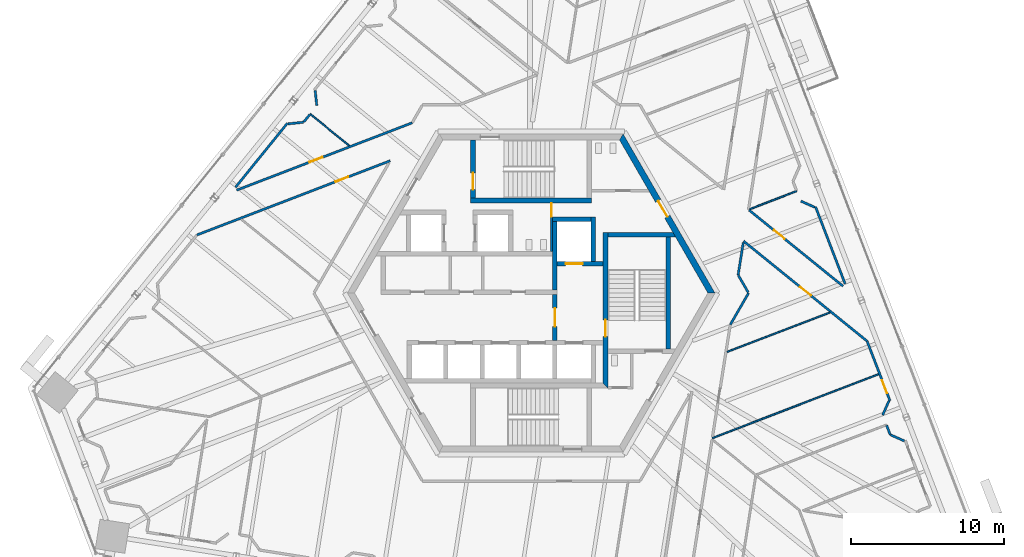
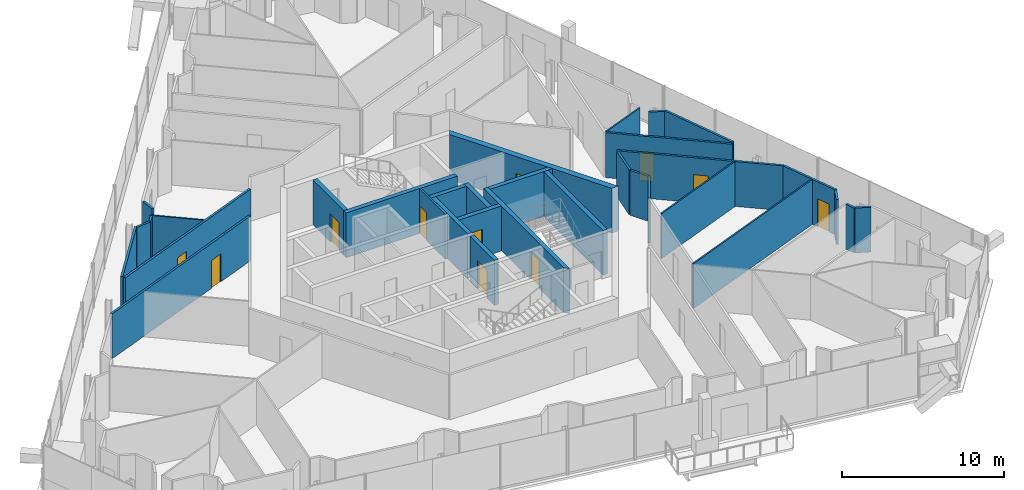
# One storey, part 16 of 23: 33 walls, 11 doors, 11 openings.
"""IFC4 building model written with IfcOpenShell, lengths in metres."""

from ifc_helpers import new_model, si_unit, direction, frame, frame_2d, origin, place, context, subcontext, project, spatial, polyline, rectangle, outline, extrude, source, transform, mapped, material, layer, layer_set, type_object, element, fill, save


model = new_model("IFC4")

# Units and contexts
model_context = context("Model", 3, precision=1e-05, world=origin(), true_north=direction((0.0, 1.0)))
body_context = subcontext(model_context, "Body", "Model", "MODEL_VIEW")
ifc_project = project(units=[si_unit("LENGTHUNIT", "METRE"), si_unit("AREAUNIT", "SQUARE_METRE"), si_unit("VOLUMEUNIT", "CUBIC_METRE"), si_unit("PLANEANGLEUNIT", "RADIAN"), si_unit("MASSUNIT", "GRAM", prefix="KILO")], contexts=[model_context])

# Site, building, storey
site_placement = place(None, origin())
site = spatial("IfcSite", under=ifc_project, at=site_placement, CompositionType="ELEMENT")
building_placement = place(site_placement, origin())
building = spatial("IfcBuilding", under=site, at=building_placement, Name="Triune Harvest Tower", CompositionType="ELEMENT")
storey_placement = place(building_placement, frame((0.0, 0.0, 171.300048828125)))
storey = spatial("IfcBuildingStorey", under=building, at=storey_placement, Name="L44", CompositionType="ELEMENT", Elevation=171.300048828125)

# Wall, opening, door
ifc_material_1 = material(Name="Concrete masonry unit", Category="masonry")
ifc_layer_1 = layer(ifc_material_1, 0.14990234375)
ifc_layer_set_1 = layer_set([ifc_layer_1], Name="Concrete masonry unit")
wall_type_1 = type_object("IfcWallType", Name="Block partition 150 unrated", PredefinedType="PARTITIONING", material=ifc_layer_set_1)
wall_1_placement = place(storey_placement, frame((1.324951171875, 2.7099609375, 0.0), z_axis=(0.0, 0.0, 1.0), x_axis=(0.0, 1.0, 0.0)))
wall_1 = element("IfcWall", 1, at=wall_1_placement, inside=storey, type_object=wall_type_1, Name="Wc men east wall", PredefinedType="PARTITIONING", context=body_context, shape_type="SweptSolid", body=[
    extrude(rectangle(XDim=3.179931640625, YDim=0.14990234375, at=frame_2d((1.58984375, 0.0))), origin(), (0.0, 0.0, 1.0), 3.375),
])
opening_1_placement = place(wall_1_placement, frame((2.264892578125, 0.0, 0.0)))
opening_1 = element("IfcOpeningElement", 2, at=opening_1_placement, cuts=wall_1, Name="Opening CD-WM", PredefinedType="OPENING", context=body_context, shape_type="SweptSolid", body=[
    extrude(rectangle(XDim=0.89990234375, YDim=2.10009765625, at=frame_2d((0.449951171875, 1.050048828125))), frame((0.0, 0.0849609375, 0.0), z_axis=(0.0, -1.0, 0.0), x_axis=(1.0, 0.0, 0.0)), (0.0, 0.0, 1.0), 0.169921875),
])
ifc_material_2 = material(Name="Timber C24", Category="wood")
door_type_1 = type_object("IfcDoorType", Name="WC door 900", OperationType="SINGLE_SWING_LEFT", PredefinedType="DOOR", material=ifc_material_2)
door_1_placement = place(opening_1_placement, origin())
door_1 = element("IfcDoor", 3, at=door_1_placement, inside=storey, type_object=door_type_1, Name="Door CD-WM", OperationType="SINGLE_SWING_LEFT", OverallHeight=2.10009765625, OverallWidth=0.89990234375, PredefinedType="DOOR", context=body_context, shape_type="SweptSolid", body=[
    extrude(rectangle(XDim=0.89990234375, YDim=2.10009765625, at=frame_2d((0.449951171875, 1.050048828125))), frame((0.0, 0.02490234375, 0.0), z_axis=(0.0, -1.0, 0.0), x_axis=(1.0, 0.0, 0.0)), (0.0, 0.0, 1.0), 0.050048828125),
])
fill(opening_1, door_1)

# Walls
ifc_material_3 = material(Name="Concrete 70 MPa", Category="concrete")
ifc_layer_2 = layer(ifc_material_3, 0.300048828125)
ifc_layer_set_2 = layer_set([ifc_layer_2], Name="Concrete 70 MPa")
wall_type_2 = type_object("IfcWallType", Name="Core wall 300", PredefinedType="SHEAR", material=ifc_layer_set_2)
wall_2_placement = place(storey_placement, frame((1.550048828125, 0.2099609375, 0.0), z_axis=(0.0, 0.0, 1.0), x_axis=(0.0, 1.0, 0.0)))
element("IfcWall", 4, at=wall_2_placement, inside=storey, type_object=wall_type_2, Name="Ff1 west wall", PredefinedType="SHEAR", context=body_context, shape_type="SweptSolid", body=[
    extrude(rectangle(XDim=4.449951171875, YDim=0.300048828125, at=frame_2d((2.22509765625, 0.0))), origin(), (0.0, 0.0, 1.0), 3.375),
])
wall_3_placement = place(storey_placement, frame((4.050048828125, 2.06005859375, 0.0), z_axis=(0.0, 0.0, 1.0), x_axis=(0.0, 1.0, 0.0)))
element("IfcWall", 5, at=wall_3_placement, inside=storey, type_object=wall_type_2, Name="Ff1 east wall", PredefinedType="SHEAR", context=body_context, shape_type="SweptSolid", body=[
    extrude(rectangle(XDim=2.89990234375, YDim=0.300048828125, at=frame_2d((1.449951171875, 0.0))), origin(), (0.0, 0.0, 1.0), 3.375),
])

# Wall, opening, door
wall_4_placement = place(storey_placement, frame((4.85009765625, -6.0400390625, 0.0), z_axis=(0.0, 0.0, 1.0), x_axis=(0.0, 1.0, 0.0)))
wall_4 = element("IfcWall", 6, at=wall_4_placement, inside=storey, type_object=wall_type_2, Name="Stair e west wall", PredefinedType="SHEAR", context=body_context, shape_type="SweptSolid", body=[
    extrude(outline(polyline([(-0.14990234375, -0.14990234375), (9.989990234375, -0.14990234375), (9.989990234375, 0.14990234375), (0.14990234375, 0.14990234375), (-0.14990234375, -0.14990234375)])), origin(), (0.0, 0.0, 1.0), 3.375),
])
opening_2_placement = place(wall_4_placement, frame((3.18994140625, 0.0, 0.0)))
opening_2 = element("IfcOpeningElement", 7, at=opening_2_placement, cuts=wall_4, Name="Opening CD-S3L", PredefinedType="OPENING", context=body_context, shape_type="SweptSolid", body=[
    extrude(rectangle(XDim=1.10009765625, YDim=2.10009765625, at=frame_2d((0.550048828125, 1.050048828125))), frame((0.0, 0.16015625, 0.0), z_axis=(0.0, -1.0, 0.0), x_axis=(1.0, 0.0, 0.0)), (0.0, 0.0, 1.0), 0.320068359375),
])
ifc_material_4 = material(Name="Steel S235", Category="steel")
door_type_2 = type_object("IfcDoorType", Name="Stair door 1100 FD120", OperationType="SINGLE_SWING_LEFT", PredefinedType="DOOR", material=ifc_material_4)
door_2_placement = place(opening_2_placement, frame((1.10009765625, 0.0, 0.0), z_axis=(0.0, 0.0, 1.0), x_axis=(-1.0, 0.0, 0.0)))
door_2 = element("IfcDoor", 8, at=door_2_placement, inside=storey, type_object=door_type_2, Name="Door CD-S3L", OperationType="SINGLE_SWING_RIGHT", OverallHeight=2.10009765625, OverallWidth=1.10009765625, PredefinedType="DOOR", context=body_context, shape_type="SweptSolid", body=[
    extrude(rectangle(XDim=1.10009765625, YDim=2.10009765625, at=frame_2d((0.550048828125, 1.050048828125))), frame((0.0, 0.02490234375, 0.0), z_axis=(0.0, -1.0, 0.0), x_axis=(1.0, 0.0, 0.0)), (0.0, 0.0, 1.0), 0.050048828125),
])
fill(opening_2, door_2)

# Walls
wall_5_placement = place(storey_placement, frame((5.0, 3.800048828125, 0.0), z_axis=(0.0, 0.0, 1.0), x_axis=(1.0, 0.0, 0.0)))
element("IfcWall", 9, at=wall_5_placement, inside=storey, type_object=wall_type_2, Name="Stair e north wall", PredefinedType="SHEAR", context=body_context, shape_type="SweptSolid", body=[
    extrude(outline(polyline([(0.0, -0.14990234375), (0.0, 0.14990234375), (4.260009765625, 0.14990234375), (4.43310546875, -0.14990234375), (0.0, -0.14990234375)])), origin(), (0.0, 0.0, 1.0), 3.375),
])
wall_6_placement = place(storey_placement, frame((8.949951171875, -3.64990234375, 0.0), z_axis=(0.0, 0.0, 1.0), x_axis=(0.0, 1.0, 0.0)))
element("IfcWall", 10, at=wall_6_placement, inside=storey, type_object=wall_type_2, Name="Stair e east wall", PredefinedType="SHEAR", context=body_context, shape_type="SweptSolid", body=[
    extrude(rectangle(XDim=7.2998046875, YDim=0.300048828125, at=frame_2d((3.64990234375, 0.0))), origin(), (0.0, 0.0, 1.0), 3.375),
])
wall_7_placement = place(storey_placement, frame((-3.949951171875, 6.0400390625, 0.0), z_axis=(0.0, 0.0, 1.0), x_axis=(1.0, 0.0, 0.0)))
element("IfcWall", 11, at=wall_7_placement, inside=storey, type_object=wall_type_2, Name="Stair n south wall", PredefinedType="SHEAR", context=body_context, shape_type="SweptSolid", body=[
    extrude(rectangle(XDim=7.89990234375, YDim=0.300048828125, at=frame_2d((3.949951171875, 0.0))), origin(), (0.0, 0.0, 1.0), 3.375),
])
ifc_material_5 = material(Name="Gypsum board on steel studs", Category="steel")
ifc_layer_3 = layer(ifc_material_5, 0.14990234375)
ifc_layer_set_3 = layer_set([ifc_layer_3], Name="Gypsum board on steel studs")
wall_type_3 = type_object("IfcWallType", Name="Fire Partition 150 mm", PredefinedType="PARTITIONING", material=ifc_layer_set_3)
wall_8_placement = place(storey_placement, frame((23.207763671875, -8.640380859375, 0.0), z_axis=(0.0, 0.0, 1.0), x_axis=(0.358077225815, -0.933691972951, 0.0)))
element("IfcWall", 12, at=wall_8_placement, inside=storey, type_object=wall_type_3, Name="Partition L44 016", PredefinedType="PARTITIONING", context=body_context, shape_type="SweptSolid", body=[
    extrude(rectangle(XDim=0.653076171875, YDim=0.14990234375, at=frame_2d((0.32666015625, 0.0))), origin(), (0.0, 0.0, 1.0), 3.375),
])

# Wall, opening, door
wall_9_placement = place(storey_placement, frame((21.939697265625, -3.158447265625, 0.0), z_axis=(0.0, 0.0, 1.0), x_axis=(0.358371438694, -0.933579087131, 0.0)))
wall_9 = element("IfcWall", 13, at=wall_9_placement, inside=storey, type_object=wall_type_3, Name="Partition L44 022", PredefinedType="PARTITIONING", context=body_context, shape_type="SweptSolid", body=[
    extrude(rectangle(XDim=4.146728515625, YDim=0.14990234375, at=frame_2d((2.0732421875, 0.0))), origin(), (0.0, 0.0, 1.0), 3.375),
])
opening_3_placement = place(wall_9_placement, frame((2.718994140625, 0.0, 0.0)))
opening_3 = element("IfcOpeningElement", 14, at=opening_3_placement, cuts=wall_9, Name="Opening L44-004", PredefinedType="OPENING", context=body_context, shape_type="SweptSolid", body=[
    extrude(rectangle(XDim=0.89990234375, YDim=2.10009765625, at=frame_2d((0.449951171875, 1.050048828125))), frame((0.0, 0.0849609375, 0.0), z_axis=(0.0, -1.0, 0.0), x_axis=(1.0, 0.0, 0.0)), (0.0, 0.0, 1.0), 0.169921875),
])
ifc_material_6 = material(Name="Timber and steel door set", Category="steel")
door_type_3 = type_object("IfcDoorType", Name="Single leaf door FD30 left hand 900 x 2100", OperationType="SINGLE_SWING_LEFT", PredefinedType="DOOR", material=ifc_material_6)
door_3_placement = place(opening_3_placement, origin())
door_3 = element("IfcDoor", 15, at=door_3_placement, inside=storey, type_object=door_type_3, Name="Door L44-004 Pantry 44.04", OperationType="SINGLE_SWING_LEFT", OverallHeight=2.10009765625, OverallWidth=0.89990234375, PredefinedType="DOOR", context=body_context, shape_type="SweptSolid", body=[
    extrude(rectangle(XDim=0.89990234375, YDim=2.10009765625, at=frame_2d((0.449951171875, 1.050048828125))), frame((0.0, 0.02490234375, 0.0), z_axis=(0.0, -1.0, 0.0), x_axis=(1.0, 0.0, 0.0)), (0.0, 0.0, 1.0), 0.050048828125),
])
fill(opening_3, door_3)

# Wall
wall_10_placement = place(storey_placement, frame((13.5283203125, 1.1533203125, 0.0), z_axis=(0.0, 0.0, 1.0), x_axis=(0.499880661532, -0.866094292919, 0.0)))
element("IfcWall", 16, at=wall_10_placement, inside=storey, type_object=wall_type_3, Name="Partition L44 026", PredefinedType="PARTITIONING", context=body_context, shape_type="SweptSolid", body=[
    extrude(rectangle(XDim=1.291259765625, YDim=0.14990234375, at=frame_2d((0.6455078125, 0.0))), origin(), (0.0, 0.0, 1.0), 3.375),
])

# Wall, opening, door
wall_11_placement = place(storey_placement, frame((13.864013671875, 3.393798828125, 0.0), z_axis=(0.0, 0.0, 1.0), x_axis=(0.777140815118, -0.629326746196, 0.0)))
wall_11 = element("IfcWall", 17, at=wall_11_placement, inside=storey, type_object=wall_type_3, Name="Partition L44 042", PredefinedType="PARTITIONING", context=body_context, shape_type="SweptSolid", body=[
    extrude(rectangle(XDim=10.38232421875, YDim=0.14990234375, at=frame_2d((5.191162109375, 0.0))), origin(), (0.0, 0.0, 1.0), 3.375),
])
opening_4_placement = place(wall_11_placement, frame((4.76318359375, 0.0, 0.0)))
opening_4 = element("IfcOpeningElement", 18, at=opening_4_placement, cuts=wall_11, Name="Opening L44-005", PredefinedType="OPENING", context=body_context, shape_type="SweptSolid", body=[
    extrude(rectangle(XDim=0.89990234375, YDim=2.10009765625, at=frame_2d((0.449951171875, 1.050048828125))), frame((0.0, 0.0849609375, 0.0), z_axis=(0.0, -1.0, 0.0), x_axis=(1.0, 0.0, 0.0)), (0.0, 0.0, 1.0), 0.169921875),
])
door_4_placement = place(opening_4_placement, origin())
door_4 = element("IfcDoor", 19, at=door_4_placement, inside=storey, type_object=door_type_3, Name="Door L44-005 Pantry 44.05", OperationType="SINGLE_SWING_LEFT", OverallHeight=2.10009765625, OverallWidth=0.89990234375, PredefinedType="DOOR", context=body_context, shape_type="SweptSolid", body=[
    extrude(rectangle(XDim=0.89990234375, YDim=2.10009765625, at=frame_2d((0.449951171875, 1.050048828125))), frame((0.0, 0.02490234375, 0.0), z_axis=(0.0, -1.0, 0.0), x_axis=(1.0, 0.0, 0.0)), (0.0, 0.0, 1.0), 0.050048828125),
])
fill(opening_4, door_4)

wall_12_placement = place(storey_placement, frame((14.220458984375, 5.42138671875, 0.0), z_axis=(0.0, 0.0, 1.0), x_axis=(0.777136330472, -0.62933228414, 0.0)))
wall_12 = element("IfcWall", 20, at=wall_12_placement, inside=storey, type_object=wall_type_3, Name="Partition L44 046", PredefinedType="PARTITIONING", context=body_context, shape_type="SweptSolid", body=[
    extrude(rectangle(XDim=7.910400390625, YDim=0.14990234375, at=frame_2d((3.955078125, 0.0))), origin(), (0.0, 0.0, 1.0), 3.375),
])
opening_5_placement = place(wall_12_placement, frame((2.101806640625, 0.0, 0.0)))
opening_5 = element("IfcOpeningElement", 21, at=opening_5_placement, cuts=wall_12, Name="Opening L44-006", PredefinedType="OPENING", context=body_context, shape_type="SweptSolid", body=[
    extrude(rectangle(XDim=0.89990234375, YDim=2.10009765625, at=frame_2d((0.449951171875, 1.050048828125))), frame((0.0, 0.0849609375, 0.0), z_axis=(0.0, -1.0, 0.0), x_axis=(1.0, 0.0, 0.0)), (0.0, 0.0, 1.0), 0.169921875),
])
door_5_placement = place(opening_5_placement, origin())
door_5 = element("IfcDoor", 22, at=door_5_placement, inside=storey, type_object=door_type_3, Name="Door L44-006 Print room 44.06", OperationType="SINGLE_SWING_LEFT", OverallHeight=2.10009765625, OverallWidth=0.89990234375, PredefinedType="DOOR", context=body_context, shape_type="SweptSolid", body=[
    extrude(rectangle(XDim=0.89990234375, YDim=2.10009765625, at=frame_2d((0.449951171875, 1.050048828125))), frame((0.0, 0.02490234375, 0.0), z_axis=(0.0, -1.0, 0.0), x_axis=(1.0, 0.0, 0.0)), (0.0, 0.0, 1.0), 0.050048828125),
])
fill(opening_5, door_5)

wall_13_placement = place(storey_placement, frame((-21.829345703125, 3.791259765625, 0.0), z_axis=(0.0, 0.0, 1.0), x_axis=(0.933574402128, 0.35838364317, 0.0)))
wall_13 = element("IfcWall", 23, at=wall_13_placement, inside=storey, type_object=wall_type_3, Name="Partition L44 092", PredefinedType="PARTITIONING", context=body_context, shape_type="SweptSolid", body=[
    extrude(rectangle(XDim=13.51953125, YDim=0.14990234375, at=frame_2d((6.759765625, 0.0))), origin(), (0.0, 0.0, 1.0), 3.375),
])
opening_6_placement = place(wall_13_placement, frame((9.69091796875, 0.0, 0.0)))
opening_6 = element("IfcOpeningElement", 24, at=opening_6_placement, cuts=wall_13, Name="Opening L44-019", PredefinedType="OPENING", context=body_context, shape_type="SweptSolid", body=[
    extrude(rectangle(XDim=0.89990234375, YDim=2.10009765625, at=frame_2d((0.449951171875, 1.050048828125))), frame((0.0, 0.0849609375, 0.0), z_axis=(0.0, -1.0, 0.0), x_axis=(1.0, 0.0, 0.0)), (0.0, 0.0, 1.0), 0.169921875),
])
door_6_placement = place(opening_6_placement, origin())
door_6 = element("IfcDoor", 25, at=door_6_placement, inside=storey, type_object=door_type_3, Name="Door L44-019 Project Room 44.19", OperationType="SINGLE_SWING_LEFT", OverallHeight=2.10009765625, OverallWidth=0.89990234375, PredefinedType="DOOR", context=body_context, shape_type="SweptSolid", body=[
    extrude(rectangle(XDim=0.89990234375, YDim=2.10009765625, at=frame_2d((0.449951171875, 1.050048828125))), frame((0.0, 0.02490234375, 0.0), z_axis=(0.0, -1.0, 0.0), x_axis=(1.0, 0.0, 0.0)), (0.0, 0.0, 1.0), 0.050048828125),
])
fill(opening_6, door_6)

wall_14_placement = place(storey_placement, frame((-19.234130859375, 6.7158203125, 0.0), z_axis=(0.0, 0.0, 1.0), x_axis=(0.93358843832, 0.358347077335, 0.0)))
wall_14 = element("IfcWall", 26, at=wall_14_placement, inside=storey, type_object=wall_type_3, Name="Partition L44 094", PredefinedType="PARTITIONING", context=body_context, shape_type="SweptSolid", body=[
    extrude(rectangle(XDim=12.271484375, YDim=0.14990234375, at=frame_2d((6.1357421875, 0.0))), origin(), (0.0, 0.0, 1.0), 3.375),
])
opening_7_placement = place(wall_14_placement, frame((5.1005859375, 0.0, 0.0)))
opening_7 = element("IfcOpeningElement", 27, at=opening_7_placement, cuts=wall_14, Name="Opening L44-018", PredefinedType="OPENING", context=body_context, shape_type="SweptSolid", body=[
    extrude(rectangle(XDim=0.89990234375, YDim=2.10009765625, at=frame_2d((0.449951171875, 1.050048828125))), frame((0.0, 0.0849609375, 0.0), z_axis=(0.0, -1.0, 0.0), x_axis=(1.0, 0.0, 0.0)), (0.0, 0.0, 1.0), 0.169921875),
])
door_7_placement = place(opening_7_placement, origin())
door_7 = element("IfcDoor", 28, at=door_7_placement, inside=storey, type_object=door_type_3, Name="Door L44-018 Pantry 44.18", OperationType="SINGLE_SWING_LEFT", OverallHeight=2.10009765625, OverallWidth=0.89990234375, PredefinedType="DOOR", context=body_context, shape_type="SweptSolid", body=[
    extrude(rectangle(XDim=0.89990234375, YDim=2.10009765625, at=frame_2d((0.449951171875, 1.050048828125))), frame((0.0, 0.02490234375, 0.0), z_axis=(0.0, -1.0, 0.0), x_axis=(1.0, 0.0, 0.0)), (0.0, 0.0, 1.0), 0.050048828125),
])
fill(opening_7, door_7)

# Walls
wall_15_placement = place(storey_placement, frame((-14.844482421875, 11.1767578125, 0.0), z_axis=(0.0, 0.0, 1.0), x_axis=(0.629186930288, 0.777254016879, 0.0)))
element("IfcWall", 29, at=wall_15_placement, inside=storey, type_object=wall_type_3, Name="Partition L44 113", PredefinedType="PARTITIONING", context=body_context, shape_type="SweptSolid", body=[
    extrude(rectangle(XDim=0.62158203125, YDim=0.14990234375, at=frame_2d((0.310791015625, 0.0))), origin(), (0.0, 0.0, 1.0), 3.375),
])
wall_16_placement = place(storey_placement, frame((22.9501953125, -7.968994140625, 0.0), z_axis=(0.0, 0.0, 1.0), x_axis=(0.406607480524, 0.913602953575, 0.0)))
element("IfcWall", 30, at=wall_16_placement, inside=storey, type_object=wall_type_3, Name="Partition L44 128", PredefinedType="PARTITIONING", context=body_context, shape_type="SweptSolid", body=[
    extrude(rectangle(XDim=1.01416015625, YDim=0.14990234375, at=frame_2d((0.507080078125, 0.0))), origin(), (0.0, 0.0, 1.0), 3.375),
])
ifc_material_7 = material(Name="Gypsum board on steel studs", Category="steel")
ifc_layer_4 = layer(ifc_material_7, 0.10009765625)
ifc_layer_set_4 = layer_set([ifc_layer_4], Name="Gypsum board on steel studs")
wall_type_4 = type_object("IfcWallType", Name="Partition 100 mm", PredefinedType="PARTITIONING", material=ifc_layer_set_4)
wall_17_placement = place(storey_placement, frame((-14.431884765625, 11.6865234375, 0.0), z_axis=(0.0, 0.0, 1.0), x_axis=(0.777182493182, -0.629275275449, 0.0)))
element("IfcWall", 31, at=wall_17_placement, inside=storey, type_object=wall_type_4, Name="Partition L44 037", PredefinedType="PARTITIONING", context=body_context, shape_type="SweptSolid", body=[
    extrude(rectangle(XDim=3.281494140625, YDim=0.10009765625, at=frame_2d((1.640625, 0.0))), origin(), (0.0, 0.0, 1.0), 3.375),
])
wall_18_placement = place(storey_placement, frame((11.826416015625, -9.470703125, 0.0), z_axis=(0.0, 0.0, 1.0), x_axis=(0.933583574223, 0.358359749331, 0.0)))
element("IfcWall", 32, at=wall_18_placement, inside=storey, type_object=wall_type_4, Name="Partition L44 086", PredefinedType="PARTITIONING", context=body_context, shape_type="SweptSolid", body=[
    extrude(rectangle(XDim=11.70361328125, YDim=0.10009765625, at=frame_2d((5.851806640625, 0.0))), origin(), (0.0, 0.0, 1.0), 3.375),
])
wall_19_placement = place(storey_placement, frame((12.79638671875, -3.844482421875, 0.0), z_axis=(0.0, 0.0, 1.0), x_axis=(0.933583727979, 0.358359348772, 0.0)))
element("IfcWall", 33, at=wall_19_placement, inside=storey, type_object=wall_type_4, Name="Partition L44 087", PredefinedType="PARTITIONING", context=body_context, shape_type="SweptSolid", body=[
    extrude(rectangle(XDim=7.181396484375, YDim=0.10009765625, at=frame_2d((3.5908203125, 0.0))), origin(), (0.0, 0.0, 1.0), 3.375),
])
wall_20_placement = place(storey_placement, frame((14.273193359375, 5.478759765625, 0.0), z_axis=(0.0, 0.0, 1.0), x_axis=(0.933583158786, 0.35836083161, 0.0)))
element("IfcWall", 34, at=wall_20_placement, inside=storey, type_object=wall_type_4, Name="Partition L44 090", PredefinedType="PARTITIONING", context=body_context, shape_type="SweptSolid", body=[
    extrude(rectangle(XDim=3.28173828125, YDim=0.10009765625, at=frame_2d((1.640869140625, 0.0))), origin(), (0.0, 0.0, 1.0), 3.375),
])

# Wall, opening, door
ifc_material_8 = material(Name="Concrete 70 MPa", Category="concrete")
ifc_layer_5 = layer(ifc_material_8, 0.39990234375)
ifc_layer_set_5 = layer_set([ifc_layer_5], Name="Concrete 70 MPa")
wall_type_5 = type_object("IfcWallType", Name="Core wall 400", PredefinedType="SHEAR", material=ifc_layer_set_5)
shared_shape_1 = source(origin(), body_context, "Body", "SweptSolid", [
    extrude(outline(polyline([(-0.115478515625, -0.199951171875), (11.884521484375, -0.199951171875), (11.653564453125, 0.199951171875), (0.115478515625, 0.199951171875), (-0.115478515625, -0.199951171875)])), origin(), (0.0, 0.0, 1.0), 3.375),
])
wall_21_placement = place(storey_placement, frame((11.76904296875, 0.0, 0.0), z_axis=(0.0, 0.0, 1.0), x_axis=(-0.499996592174, 0.866027371285, 0.0)))
wall_21 = element("IfcWall", 35, at=wall_21_placement, inside=storey, type_object=wall_type_5, Name="Hexagon 0 wall", PredefinedType="SHEAR", context=body_context, shape_type="MappedRepresentation", body=[
    mapped(shared_shape_1, transform((0.0, 0.0, 0.0), scale=1.0)),
])
opening_8_placement = place(wall_21_placement, frame((5.75048828125, 0.0, 0.0)))
opening_8 = element("IfcOpeningElement", 36, at=opening_8_placement, cuts=wall_21, Name="Opening CD-WCP", PredefinedType="OPENING", context=body_context, shape_type="SweptSolid", body=[
    extrude(rectangle(XDim=1.199951171875, YDim=2.10009765625, at=frame_2d((0.60009765625, 1.050048828125))), frame((0.0, 0.2099609375, 0.0), z_axis=(0.0, -1.0, 0.0), x_axis=(1.0, 0.0, 0.0)), (0.0, 0.0, 1.0), 0.419921875),
])
ifc_material_9 = material(Name="Steel S235", Category="steel")
door_type_4 = type_object("IfcDoorType", Name="Lobby door 1200 FD120", OperationType="SINGLE_SWING_LEFT", PredefinedType="DOOR", material=ifc_material_9)
door_8_placement = place(opening_8_placement, frame((1.199951171875, 0.0, 0.0), z_axis=(0.0, 0.0, 1.0), x_axis=(-1.0, 0.0, 0.0)))
door_8 = element("IfcDoor", 37, at=door_8_placement, inside=storey, type_object=door_type_4, Name="Door CD-WCP", OperationType="SINGLE_SWING_RIGHT", OverallHeight=2.10009765625, OverallWidth=1.199951171875, PredefinedType="DOOR", context=body_context, shape_type="SweptSolid", body=[
    extrude(rectangle(XDim=1.199951171875, YDim=2.10009765625, at=frame_2d((0.60009765625, 1.050048828125))), frame((0.0, 0.02490234375, 0.0), z_axis=(0.0, -1.0, 0.0), x_axis=(1.0, 0.0, 0.0)), (0.0, 0.0, 1.0), 0.050048828125),
])
fill(opening_8, door_8)

# Wall
shared_shape_2 = source(origin(), body_context, "Body", "SweptSolid", [
    extrude(rectangle(XDim=2.5, YDim=0.300048828125, at=frame_2d((1.25, 0.0))), origin(), (0.0, 0.0, 1.0), 3.375),
])
wall_22_placement = place(storey_placement, frame((1.39990234375, 4.81005859375, 0.0), z_axis=(0.0, 0.0, 1.0), x_axis=(1.0, 0.0, 0.0)))
element("IfcWall", 38, at=wall_22_placement, inside=storey, type_object=wall_type_2, Name="Ff1 back wall", PredefinedType="SHEAR", context=body_context, shape_type="MappedRepresentation", body=[
    mapped(shared_shape_2, transform((0.0, 0.0, 0.0), scale=1.0)),
])

# Wall, opening, door
shared_shape_3 = source(origin(), body_context, "Body", "SweptSolid", [
    extrude(rectangle(XDim=3.0, YDim=0.300048828125, at=frame_2d((1.5, 0.0))), origin(), (0.0, 0.0, 1.0), 3.375),
])
wall_23_placement = place(storey_placement, frame((1.699951171875, 1.909912109375, 0.0), z_axis=(0.0, 0.0, 1.0), x_axis=(1.0, 0.0, 0.0)))
wall_23 = element("IfcWall", 39, at=wall_23_placement, inside=storey, type_object=wall_type_2, Name="Ff1 front wall", PredefinedType="SHEAR", context=body_context, shape_type="MappedRepresentation", body=[
    mapped(shared_shape_3, transform((0.0, 0.0, 0.0), scale=1.0)),
])
opening_9_placement = place(wall_23_placement, frame((0.550048828125, 0.0, 0.0)))
opening_9 = element("IfcOpeningElement", 40, at=opening_9_placement, cuts=wall_23, Name="Opening LD-FF1-44", PredefinedType="OPENING", context=body_context, shape_type="SweptSolid", body=[
    extrude(rectangle(XDim=1.10009765625, YDim=2.10009765625, at=frame_2d((0.550048828125, 1.050048828125))), frame((0.0, 0.16015625, 0.0), z_axis=(0.0, -1.0, 0.0), x_axis=(1.0, 0.0, 0.0)), (0.0, 0.0, 1.0), 0.320068359375),
])
ifc_material_10 = material(Name="Stainless steel AISI 304", Category="steel")
door_type_5 = type_object("IfcDoorType", Name="Landing door 1100 x 2100", OperationType="DOUBLE_DOOR_SLIDING", PredefinedType="DOOR", material=ifc_material_10)
door_9_placement = place(opening_9_placement, origin())
door_9 = element("IfcDoor", 41, at=door_9_placement, inside=storey, type_object=door_type_5, Name="Door LD-FF1-44", OperationType="DOUBLE_DOOR_SLIDING", OverallHeight=2.10009765625, OverallWidth=1.10009765625, PredefinedType="DOOR", context=body_context, shape_type="SweptSolid", body=[
    extrude(rectangle(XDim=1.10009765625, YDim=2.10009765625, at=frame_2d((0.550048828125, 1.050048828125))), frame((0.0, 0.02490234375, 0.0), z_axis=(0.0, -1.0, 0.0), x_axis=(1.0, 0.0, 0.0)), (0.0, 0.0, 1.0), 0.050048828125),
])
fill(opening_9, door_9)

wall_24_placement = place(storey_placement, frame((1.550048828125, -3.090087890625, 0.0), z_axis=(0.0, 0.0, 1.0), x_axis=(0.0, 1.0, 0.0)))
wall_24 = element("IfcWall", 42, at=wall_24_placement, inside=storey, type_object=wall_type_2, Name="Ff lobby west wall", PredefinedType="SHEAR", context=body_context, shape_type="MappedRepresentation", body=[
    mapped(shared_shape_3, transform((0.0, 0.0, 0.0), scale=1.0)),
])
opening_10_placement = place(wall_24_placement, frame((0.89990234375, 0.0, 0.0)))
opening_10 = element("IfcOpeningElement", 43, at=opening_10_placement, cuts=wall_24, Name="Opening CD-FL", PredefinedType="OPENING", context=body_context, shape_type="SweptSolid", body=[
    extrude(rectangle(XDim=1.199951171875, YDim=2.10009765625, at=frame_2d((0.60009765625, 1.050048828125))), frame((0.0, 0.16015625, 0.0), z_axis=(0.0, -1.0, 0.0), x_axis=(1.0, 0.0, 0.0)), (0.0, 0.0, 1.0), 0.320068359375),
])
ifc_material_11 = material(Name="Steel S235", Category="steel")
door_type_6 = type_object("IfcDoorType", Name="Firefighters' lobby door 1200 FD120", OperationType="SINGLE_SWING_LEFT", PredefinedType="DOOR", material=ifc_material_11)
door_10_placement = place(opening_10_placement, frame((1.199951171875, 0.0, 0.0), z_axis=(0.0, 0.0, 1.0), x_axis=(-1.0, 0.0, 0.0)))
door_10 = element("IfcDoor", 44, at=door_10_placement, inside=storey, type_object=door_type_6, Name="Door CD-FL", OperationType="SINGLE_SWING_RIGHT", OverallHeight=2.10009765625, OverallWidth=1.199951171875, PredefinedType="DOOR", context=body_context, shape_type="SweptSolid", body=[
    extrude(rectangle(XDim=1.199951171875, YDim=2.10009765625, at=frame_2d((0.60009765625, 1.050048828125))), frame((0.0, 0.02490234375, 0.0), z_axis=(0.0, -1.0, 0.0), x_axis=(1.0, 0.0, 0.0)), (0.0, 0.0, 1.0), 0.050048828125),
])
fill(opening_10, door_10)

shared_shape_4 = source(origin(), body_context, "Body", "SweptSolid", [
    extrude(outline(polyline([(0.0, -0.14990234375), (0.0, 0.14990234375), (3.80419921875, 0.14990234375), (3.80419921875, -0.14990234375), (0.0, -0.14990234375)])), origin(), (0.0, 0.0, 1.0), 3.375),
])
wall_25_placement = place(storey_placement, frame((-3.800048828125, 6.18994140625, 0.0), z_axis=(0.0, 0.0, 1.0), x_axis=(0.0, 1.0, 0.0)))
wall_25 = element("IfcWall", 45, at=wall_25_placement, inside=storey, type_object=wall_type_2, Name="Stair n west wall", PredefinedType="SHEAR", context=body_context, shape_type="MappedRepresentation", body=[
    mapped(shared_shape_4, transform((0.0, 0.0, 0.0), scale=1.0)),
])
opening_11_placement = place(wall_25_placement, frame((0.56005859375, 0.0, 0.0)))
opening_11 = element("IfcOpeningElement", 46, at=opening_11_placement, cuts=wall_25, Name="Opening CD-S1L", PredefinedType="OPENING", context=body_context, shape_type="SweptSolid", body=[
    extrude(rectangle(XDim=1.10009765625, YDim=2.10009765625, at=frame_2d((0.550048828125, 1.050048828125))), frame((0.0, 0.16015625, 0.0), z_axis=(0.0, -1.0, 0.0), x_axis=(1.0, 0.0, 0.0)), (0.0, 0.0, 1.0), 0.320068359375),
])
door_11_placement = place(opening_11_placement, frame((1.10009765625, 0.0, 0.0), z_axis=(0.0, 0.0, 1.0), x_axis=(-1.0, 0.0, 0.0)))
door_11 = element("IfcDoor", 47, at=door_11_placement, inside=storey, type_object=door_type_2, Name="Door CD-S1L", OperationType="SINGLE_SWING_RIGHT", OverallHeight=2.10009765625, OverallWidth=1.10009765625, PredefinedType="DOOR", context=body_context, shape_type="SweptSolid", body=[
    extrude(rectangle(XDim=1.10009765625, YDim=2.10009765625, at=frame_2d((0.550048828125, 1.050048828125))), frame((0.0, 0.02490234375, 0.0), z_axis=(0.0, -1.0, 0.0), x_axis=(1.0, 0.0, 0.0)), (0.0, 0.0, 1.0), 0.050048828125),
])
fill(opening_11, door_11)

# Walls
shared_shape_5 = source(origin(), body_context, "Body", "SweptSolid", [
    extrude(rectangle(XDim=0.983642578125, YDim=0.14990234375, at=frame_2d((0.49169921875, 0.0))), origin(), (0.0, 0.0, 1.0), 3.375),
])
for number, where, z_axis, x_axis, name in (
    (48, (-14.106201171875, 13.227783203125, 0.0), (0.0, 0.0, 1.0), (0.104490984784, -0.994525833802, 0.0), "Partition L44 003"),
    (49, (23.46923828125, -9.26171875, 0.0), (0.0, 0.0, 1.0), (0.913627223066, -0.406552945227, 0.0), "Partition L44 051"),
):
    element("IfcWall", number, at=place(storey_placement, frame(where, z_axis=z_axis, x_axis=x_axis)), inside=storey, type_object=wall_type_3, Name=name, PredefinedType="PARTITIONING", context=body_context, shape_type="MappedRepresentation", body=[
        mapped(shared_shape_5, transform((0.0, 0.0, 0.0), scale=1.0)),
    ])
shared_shape_6 = source(origin(), body_context, "Body", "SweptSolid", [
    extrude(rectangle(XDim=5.3916015625, YDim=0.14990234375, at=frame_2d((2.69580078125, 0.0))), origin(), (0.0, 0.0, 1.0), 3.375),
])
wall_26_placement = place(storey_placement, frame((-19.30712890625, 6.90625, 0.0), z_axis=(0.0, 0.0, 1.0), x_axis=(0.629333693889, 0.777135188842, 0.0)))
element("IfcWall", 50, at=wall_26_placement, inside=storey, type_object=wall_type_3, Name="Partition L44 118", PredefinedType="PARTITIONING", context=body_context, shape_type="MappedRepresentation", body=[
    mapped(shared_shape_6, transform((0.0, 0.0, 0.0), scale=1.0)),
])
shared_shape_7 = source(origin(), body_context, "Body", "SweptSolid", [
    extrude(rectangle(XDim=5.391845703125, YDim=0.14990234375, at=frame_2d((2.69580078125, 0.0))), origin(), (0.0, 0.0, 1.0), 3.375),
])
wall_27_placement = place(storey_placement, frame((18.564208984375, 5.635498046875, 0.0), z_axis=(0.0, 0.0, 1.0), x_axis=(0.358347874622, -0.933588132291, 0.0)))
element("IfcWall", 51, at=wall_27_placement, inside=storey, type_object=wall_type_3, Name="Partition L44 021", PredefinedType="PARTITIONING", context=body_context, shape_type="MappedRepresentation", body=[
    mapped(shared_shape_7, transform((0.0, 0.0, 0.0), scale=1.0)),
])
shared_shape_8 = source(origin(), body_context, "Body", "SweptSolid", [
    extrude(rectangle(XDim=2.132568359375, YDim=0.14990234375, at=frame_2d((1.06640625, 0.0))), origin(), (0.0, 0.0, 1.0), 3.375),
])
wall_28_placement = place(storey_placement, frame((13.51318359375, 1.178955078125, 0.0), z_axis=(0.0, 0.0, 1.0), x_axis=(0.156374054325, 0.987697906819, 0.0)))
element("IfcWall", 52, at=wall_28_placement, inside=storey, type_object=wall_type_3, Name="Partition L44 136", PredefinedType="PARTITIONING", context=body_context, shape_type="MappedRepresentation", body=[
    mapped(shared_shape_8, transform((0.0, 0.0, 0.0), scale=1.0)),
])
shared_shape_9 = source(origin(), body_context, "Body", "SweptSolid", [
    extrude(rectangle(XDim=0.98388671875, YDim=0.14990234375, at=frame_2d((0.491943359375, 0.0))), origin(), (0.0, 0.0, 1.0), 3.375),
])
wall_29_placement = place(storey_placement, frame((17.60986328125, 6.00244140625, 0.0), z_axis=(0.0, 0.0, 1.0), x_axis=(0.913576065366, -0.406667890042, 0.0)))
element("IfcWall", 53, at=wall_29_placement, inside=storey, type_object=wall_type_3, Name="Partition L44 052", PredefinedType="PARTITIONING", context=body_context, shape_type="MappedRepresentation", body=[
    mapped(shared_shape_9, transform((0.0, 0.0, 0.0), scale=1.0)),
])
shared_shape_10 = source(origin(), body_context, "Body", "SweptSolid", [
    extrude(rectangle(XDim=2.38037109375, YDim=0.14990234375, at=frame_2d((1.190185546875, 0.0))), origin(), (0.0, 0.0, 1.0), 3.375),
])
wall_30_placement = place(storey_placement, frame((13.003662109375, -2.0615234375, 0.0), z_axis=(0.0, 0.0, 1.0), x_axis=(0.499988794591, 0.866031873134, 0.0)))
element("IfcWall", 54, at=wall_30_placement, inside=storey, type_object=wall_type_3, Name="Partition L44 124", PredefinedType="PARTITIONING", context=body_context, shape_type="MappedRepresentation", body=[
    mapped(shared_shape_10, transform((0.0, 0.0, 0.0), scale=1.0)),
])
shared_shape_11 = source(origin(), body_context, "Body", "SweptSolid", [
    extrude(rectangle(XDim=1.013916015625, YDim=0.14990234375, at=frame_2d((0.5068359375, 0.0))), origin(), (0.0, 0.0, 1.0), 3.375),
])
wall_31_placement = place(storey_placement, frame((-15.87158203125, 11.047607421875, 0.0), z_axis=(0.0, 0.0, 1.0), x_axis=(0.994523910136, 0.104509292252, 0.0)))
element("IfcWall", 55, at=wall_31_placement, inside=storey, type_object=wall_type_3, Name="Partition L44 079", PredefinedType="PARTITIONING", context=body_context, shape_type="MappedRepresentation", body=[
    mapped(shared_shape_11, transform((0.0, 0.0, 0.0), scale=1.0)),
])

save(model, "model.ifc")
